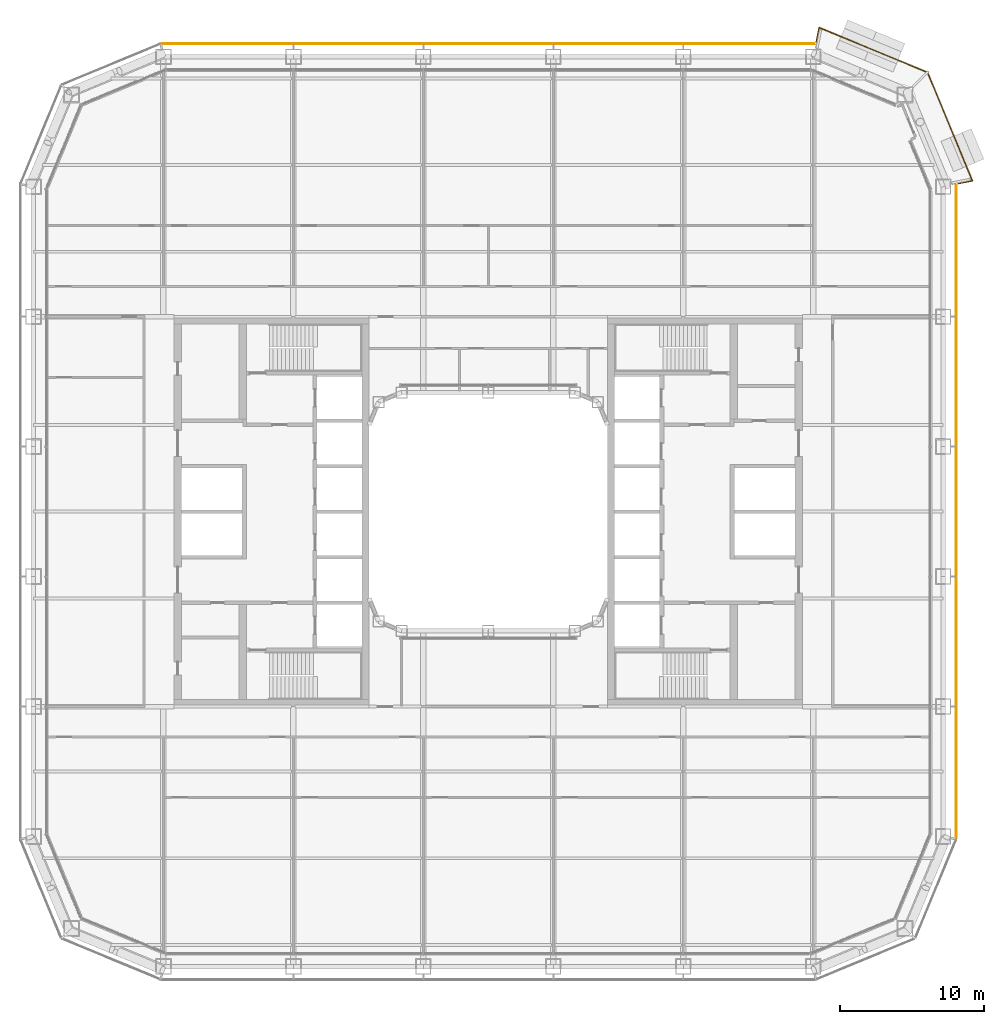
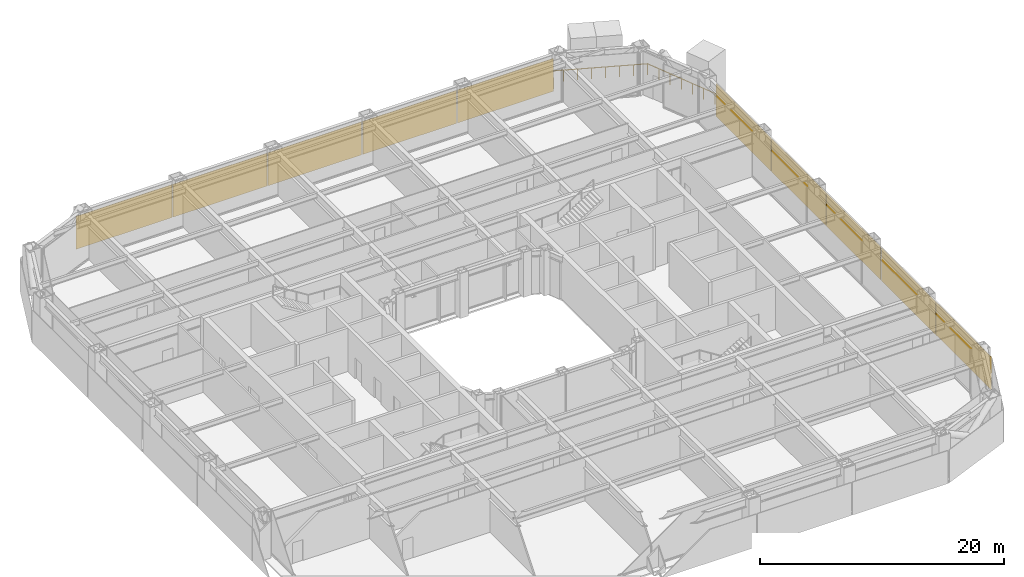
# One storey, part 29 of 30: 10 coverings, 1 railing.
"""IFC4 building model written with IfcOpenShell, lengths in metres."""

from ifc_helpers import new_model, si_unit, direction, frame, origin, origin_2d, place, context, subcontext, project, spatial, rectangle, circle, extrude, material, layer, layer_set, type_object, element, save


model = new_model("IFC4")

# Units and contexts
model_context = context("Model", 3, precision=1e-05, world=origin(), true_north=direction((0.0, 1.0)))
body_context = subcontext(model_context, "Body", "Model", "MODEL_VIEW")
ifc_project = project(units=[si_unit("LENGTHUNIT", "METRE"), si_unit("AREAUNIT", "SQUARE_METRE"), si_unit("VOLUMEUNIT", "CUBIC_METRE"), si_unit("PLANEANGLEUNIT", "RADIAN"), si_unit("MASSUNIT", "GRAM", prefix="KILO")], contexts=[model_context])

# Site, building, storey
site_placement = place(None, origin())
site = spatial("IfcSite", under=ifc_project, at=site_placement, CompositionType="ELEMENT")
building_placement = place(site_placement, origin())
building = spatial("IfcBuilding", under=site, at=building_placement, Name="Siwar Civic Tower", CompositionType="ELEMENT")
storey_placement = place(building_placement, frame((0.0, 0.0, 26.699951171875)))
storey = spatial("IfcBuildingStorey", under=building, at=storey_placement, Name="L05", CompositionType="ELEMENT", Elevation=26.699951171875)

# Railing
ifc_material_1 = material(Name="Stainless steel 316", Category="steel")
railing_type = type_object("IfcRailingType", Name="ENV-GUARD", PredefinedType="GUARDRAIL", material=ifc_material_1)
railing_placement = place(storey_placement, frame((32.547119140625, 22.708251953125, 0.0)))
element("IfcRailing", 1, at=railing_placement, inside=storey, type_object=railing_type, Name="Balcony guard NE", PredefinedType="GUARDRAIL", context=body_context, shape_type="SweptSolid", body=[
    extrude(circle(Radius=0.02392578125, at=origin_2d()), frame((0.0, 0.0, 1.076171875), z_axis=(0.980778661911, 0.195123592472, 0.0), x_axis=(-0.195123592472, 0.980778661911, 0.0)), (0.0, 0.0, 1.0), 0.993408203125),
    extrude(circle(Radius=0.02392578125, at=origin_2d()), frame((0.974365234375, 0.19384765625, 1.076171875), z_axis=(-0.382176720888, 0.924089256518, 0.0), x_axis=(-0.924089256518, -0.382176720888, 0.0)), (0.0, 0.0, 1.0), 8.129638671875),
    extrude(circle(Radius=0.02392578125, at=origin_2d()), frame((-2.132568359375, 7.706298828125, 1.076171875), z_axis=(-0.924089256518, 0.382176720888, 0.0), x_axis=(-0.382176720888, -0.924089256518, 0.0)), (0.0, 0.0, 1.0), 8.129638671875),
    extrude(circle(Radius=0.02392578125, at=origin_2d()), frame((-9.64501953125, 10.813232421875, 1.076171875), z_axis=(-0.195123592472, -0.980778661911, 0.0), x_axis=(0.980778661911, -0.195123592472, 0.0)), (0.0, 0.0, 1.0), 0.993408203125),
    extrude(circle(Radius=0.02099609375, at=origin_2d()), origin(), (0.0, 0.0, 1.0), 1.052001953125),
    extrude(circle(Radius=0.02099609375, at=origin_2d()), frame((0.974365234375, 0.19384765625, 0.0)), (0.0, 0.0, 1.0), 1.052001953125),
    extrude(circle(Radius=0.02099609375, at=origin_2d()), frame((0.530517578125, 1.26708984375, 0.0)), (0.0, 0.0, 1.0), 1.052001953125),
    extrude(circle(Radius=0.02099609375, at=origin_2d()), frame((0.086669921875, 2.34033203125, 0.0)), (0.0, 0.0, 1.0), 1.052001953125),
    extrude(circle(Radius=0.02099609375, at=origin_2d()), frame((-0.357177734375, 3.41357421875, 0.0)), (0.0, 0.0, 1.0), 1.052001953125),
    extrude(circle(Radius=0.02099609375, at=origin_2d()), frame((-0.801025390625, 4.486572265625, 0.0)), (0.0, 0.0, 1.0), 1.052001953125),
    extrude(circle(Radius=0.02099609375, at=origin_2d()), frame((-1.244873046875, 5.559814453125, 0.0)), (0.0, 0.0, 1.0), 1.052001953125),
    extrude(circle(Radius=0.02099609375, at=origin_2d()), frame((-1.688720703125, 6.633056640625, 0.0)), (0.0, 0.0, 1.0), 1.052001953125),
    extrude(circle(Radius=0.02099609375, at=origin_2d()), frame((-2.132568359375, 7.706298828125, 0.0)), (0.0, 0.0, 1.0), 1.052001953125),
    extrude(circle(Radius=0.02099609375, at=origin_2d()), frame((-3.205810546875, 8.150146484375, 0.0)), (0.0, 0.0, 1.0), 1.052001953125),
    extrude(circle(Radius=0.02099609375, at=origin_2d()), frame((-4.279052734375, 8.593994140625, 0.0)), (0.0, 0.0, 1.0), 1.052001953125),
    extrude(circle(Radius=0.02099609375, at=origin_2d()), frame((-5.352294921875, 9.037841796875, 0.0)), (0.0, 0.0, 1.0), 1.052001953125),
    extrude(circle(Radius=0.02099609375, at=origin_2d()), frame((-6.42529296875, 9.481689453125, 0.0)), (0.0, 0.0, 1.0), 1.052001953125),
    extrude(circle(Radius=0.02099609375, at=origin_2d()), frame((-7.49853515625, 9.925537109375, 0.0)), (0.0, 0.0, 1.0), 1.052001953125),
    extrude(circle(Radius=0.02099609375, at=origin_2d()), frame((-8.57177734375, 10.369384765625, 0.0)), (0.0, 0.0, 1.0), 1.052001953125),
    extrude(circle(Radius=0.02099609375, at=origin_2d()), frame((-9.64501953125, 10.813232421875, 0.0)), (0.0, 0.0, 1.0), 1.052001953125),
    extrude(circle(Radius=0.02099609375, at=origin_2d()), frame((-9.8388671875, 9.8388671875, 0.0)), (0.0, 0.0, 1.0), 1.052001953125),
])

# Coverings
ifc_material_2 = material(Name="Perforated aluminium cassette, pale metal", Category="aluminium")
ifc_layer = layer(ifc_material_2, 0.0400390625)
ifc_layer_set = layer_set([ifc_layer], Name="Perforated aluminium cassette, pale metal")
covering_type = type_object("IfcCoveringType", Name="ENV-OUTER SKIN OS-1", PredefinedType="CLADDING", material=ifc_layer_set)
covering_1_placement = place(storey_placement, frame((32.39990234375, -18.07958984375, -0.14990234375), z_axis=(0.0, 0.0, 1.0), x_axis=(0.0, 1.0, 0.0)))
element("IfcCovering", 2, at=covering_1_placement, inside=storey, type_object=covering_type, Name="OUTER SKIN OS-1 E 1", PredefinedType="CLADDING", context=body_context, shape_type="SweptSolid", body=[
    extrude(rectangle(XDim=9.05908203125, YDim=0.0400390625, at=origin_2d()), origin(), (0.0, 0.0, 1.0), 3.300048828125),
])
for number, where, z_axis, x_axis, name in (
    (3, (32.39990234375, -9.0, -0.14990234375), (0.0, 0.0, 1.0), (0.0, 1.0, 0.0), "OUTER SKIN OS-1 E 2"),
    (4, (32.39990234375, 0.0, -0.14990234375), (0.0, 0.0, 1.0), (0.0, 1.0, 0.0), "OUTER SKIN OS-1 E 3"),
    (5, (32.39990234375, 9.0, -0.14990234375), (0.0, 0.0, 1.0), (0.0, 1.0, 0.0), "OUTER SKIN OS-1 E 4"),
):
    element("IfcCovering", number, at=place(storey_placement, frame(where, z_axis=z_axis, x_axis=x_axis)), inside=storey, type_object=covering_type, Name=name, PredefinedType="CLADDING", context=body_context, shape_type="SweptSolid", body=[
        extrude(rectangle(XDim=8.89990234375, YDim=0.0400390625, at=origin_2d()), origin(), (0.0, 0.0, 1.0), 3.300048828125),
    ])
for number, where, z_axis, x_axis, name in (
    (6, (32.39990234375, 18.07958984375, -0.14990234375), (0.0, 0.0, 1.0), (0.0, 1.0, 0.0), "OUTER SKIN OS-1 E 5"),
    (7, (18.07958984375, 32.39990234375, -0.14990234375), (0.0, 0.0, 1.0), (-1.0, 0.0, 0.0), "OUTER SKIN OS-1 N 1"),
):
    element("IfcCovering", number, at=place(storey_placement, frame(where, z_axis=z_axis, x_axis=x_axis)), inside=storey, type_object=covering_type, Name=name, PredefinedType="CLADDING", context=body_context, shape_type="SweptSolid", body=[
        extrude(rectangle(XDim=9.05908203125, YDim=0.0400390625, at=origin_2d()), origin(), (0.0, 0.0, 1.0), 3.300048828125),
    ])
for number, where, z_axis, x_axis, name in (
    (8, (9.0, 32.39990234375, -0.14990234375), (0.0, 0.0, 1.0), (-1.0, 0.0, 0.0), "OUTER SKIN OS-1 N 2"),
    (9, (0.0, 32.39990234375, -0.14990234375), (0.0, 0.0, 1.0), (-1.0, 0.0, 0.0), "OUTER SKIN OS-1 N 3"),
    (10, (-9.0, 32.39990234375, -0.14990234375), (0.0, 0.0, 1.0), (-1.0, 0.0, 0.0), "OUTER SKIN OS-1 N 4"),
):
    element("IfcCovering", number, at=place(storey_placement, frame(where, z_axis=z_axis, x_axis=x_axis)), inside=storey, type_object=covering_type, Name=name, PredefinedType="CLADDING", context=body_context, shape_type="SweptSolid", body=[
        extrude(rectangle(XDim=8.89990234375, YDim=0.0400390625, at=origin_2d()), origin(), (0.0, 0.0, 1.0), 3.300048828125),
    ])
covering_2_placement = place(storey_placement, frame((-18.07958984375, 32.39990234375, -0.14990234375), z_axis=(0.0, 0.0, 1.0), x_axis=(-1.0, 0.0, 0.0)))
element("IfcCovering", 11, at=covering_2_placement, inside=storey, type_object=covering_type, Name="OUTER SKIN OS-1 N 5", PredefinedType="CLADDING", context=body_context, shape_type="SweptSolid", body=[
    extrude(rectangle(XDim=9.05908203125, YDim=0.0400390625, at=origin_2d()), origin(), (0.0, 0.0, 1.0), 3.300048828125),
])

save(model, "model.ifc")
